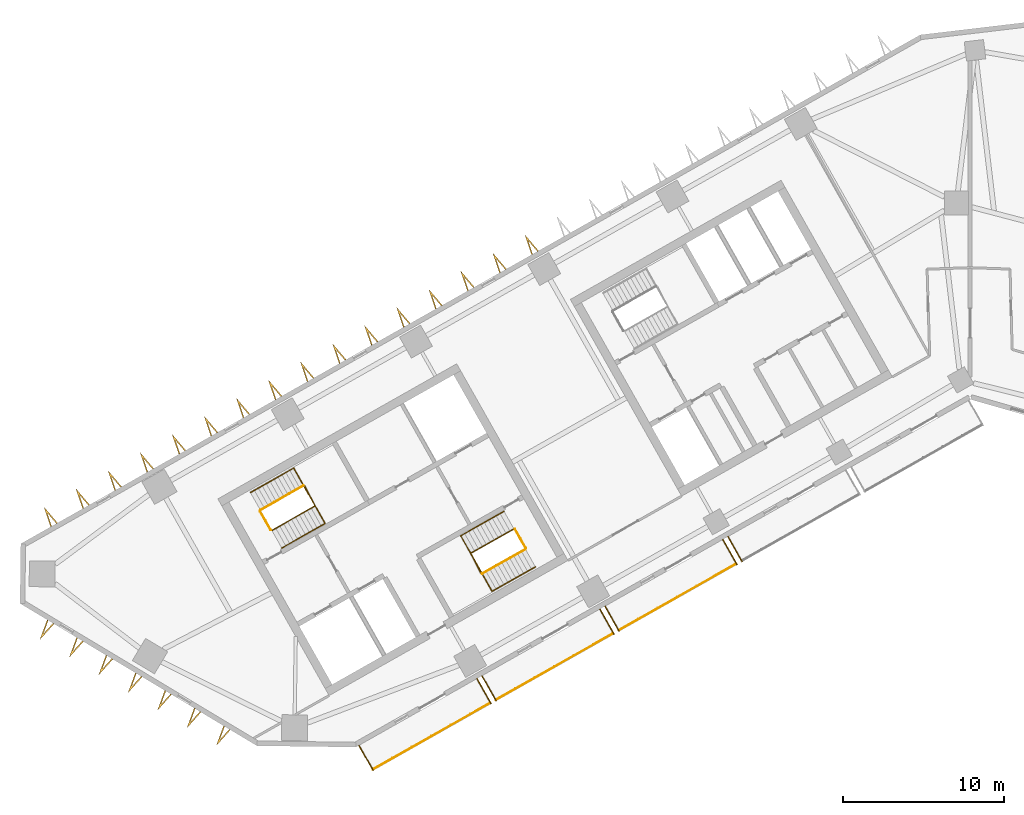
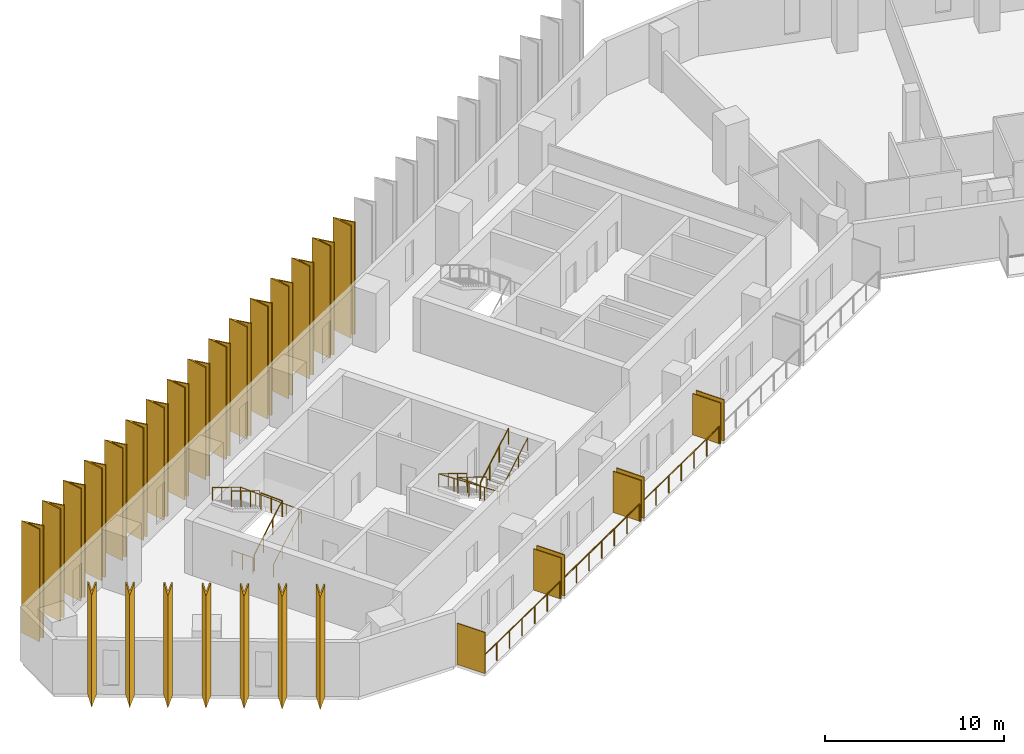
# One storey, part 8 of 10: 30 shading devices, 11 railings.
"""IFC4 building model written with IfcOpenShell, lengths in metres."""

from ifc_helpers import new_model, si_unit, direction, frame, origin, origin_2d, place, context, subcontext, project, spatial, polyline, rectangle, circle, outline, extrude, material, layer, layer_set, type_object, element, save


model = new_model("IFC4")

# Units and contexts
model_context = context("Model", 3, precision=1e-05, world=origin(), true_north=direction((0.0, 1.0)))
body_context = subcontext(model_context, "Body", "Model", "MODEL_VIEW")
ifc_project = project(units=[si_unit("LENGTHUNIT", "METRE"), si_unit("AREAUNIT", "SQUARE_METRE"), si_unit("VOLUMEUNIT", "CUBIC_METRE"), si_unit("PLANEANGLEUNIT", "RADIAN"), si_unit("MASSUNIT", "GRAM", prefix="KILO")], contexts=[model_context])

# Site, building, storey
site_placement = place(None, origin())
site = spatial("IfcSite", under=ifc_project, at=site_placement, CompositionType="ELEMENT")
building_placement = place(site_placement, origin())
building = spatial("IfcBuilding", under=site, at=building_placement, Name="Binnacle Exchange Tower", CompositionType="ELEMENT")
storey_placement = place(building_placement, frame((0.0, 0.0, 194.89990234375)))
storey = spatial("IfcBuildingStorey", under=building, at=storey_placement, Name="L42", CompositionType="ELEMENT", Elevation=194.89990234375)

# Railings
ifc_material_1 = material(Name="Bronze anodised aluminium frame", Category="aluminium")
railing_type_1 = type_object("IfcRailingType", Name="GUARD 1200", PredefinedType="GUARDRAIL", material=ifc_material_1)
railing_1_placement = place(storey_placement, frame((-36.994140625, 24.921142578125, 0.0)))
element("IfcRailing", 1, at=railing_1_placement, inside=storey, type_object=railing_type_1, Name="Balcony guard G01-B00 L42", PredefinedType="GUARDRAIL", context=body_context, shape_type="SweptSolid", body=[
    extrude(circle(Radius=0.02392578125, at=origin_2d()), frame((0.0, 0.0, 1.17578125), z_axis=(0.8703461643, 0.49244040684, 0.0), x_axis=(-0.49244040684, 0.8703461643, 0.0)), (0.0, 0.0, 1.0), 8.33447265625),
    extrude(circle(Radius=0.02099609375, at=origin_2d()), origin(), (0.0, 0.0, 1.0), 1.15185546875),
    extrude(circle(Radius=0.02099609375, at=origin_2d()), frame((1.208984375, 0.68408203125, 0.0)), (0.0, 0.0, 1.0), 1.15185546875),
    extrude(circle(Radius=0.02099609375, at=origin_2d()), frame((2.41796875, 1.3681640625, 0.0)), (0.0, 0.0, 1.0), 1.15185546875),
    extrude(circle(Radius=0.02099609375, at=origin_2d()), frame((3.626953125, 2.05224609375, 0.0)), (0.0, 0.0, 1.0), 1.15185546875),
    extrude(circle(Radius=0.02099609375, at=origin_2d()), frame((4.8359375, 2.736083984375, 0.0)), (0.0, 0.0, 1.0), 1.15185546875),
    extrude(circle(Radius=0.02099609375, at=origin_2d()), frame((6.044921875, 3.420166015625, 0.0)), (0.0, 0.0, 1.0), 1.15185546875),
    extrude(circle(Radius=0.02099609375, at=origin_2d()), frame((7.25390625, 4.104248046875, 0.0)), (0.0, 0.0, 1.0), 1.15185546875),
])
railing_2_placement = place(storey_placement, frame((-29.374755859375, 29.232177734375, 0.0)))
element("IfcRailing", 2, at=railing_2_placement, inside=storey, type_object=railing_type_1, Name="Balcony guard G01-B01 L42", PredefinedType="GUARDRAIL", context=body_context, shape_type="SweptSolid", body=[
    extrude(circle(Radius=0.02392578125, at=origin_2d()), frame((0.0, 0.0, 1.17578125), z_axis=(0.870365821494, 0.492405662818, 0.0), x_axis=(-0.492405662818, 0.870365821494, 0.0)), (0.0, 0.0, 1.0), 8.334716796875),
    extrude(circle(Radius=0.02099609375, at=origin_2d()), origin(), (0.0, 0.0, 1.0), 1.15185546875),
    extrude(circle(Radius=0.02099609375, at=origin_2d()), frame((1.208984375, 0.68408203125, 0.0)), (0.0, 0.0, 1.0), 1.15185546875),
    extrude(circle(Radius=0.02099609375, at=origin_2d()), frame((2.41796875, 1.367919921875, 0.0)), (0.0, 0.0, 1.0), 1.15185546875),
    extrude(circle(Radius=0.02099609375, at=origin_2d()), frame((3.626953125, 2.052001953125, 0.0)), (0.0, 0.0, 1.0), 1.15185546875),
    extrude(circle(Radius=0.02099609375, at=origin_2d()), frame((4.836181640625, 2.736083984375, 0.0)), (0.0, 0.0, 1.0), 1.15185546875),
    extrude(circle(Radius=0.02099609375, at=origin_2d()), frame((6.045166015625, 3.419921875, 0.0)), (0.0, 0.0, 1.0), 1.15185546875),
    extrude(circle(Radius=0.02099609375, at=origin_2d()), frame((7.254150390625, 4.10400390625, 0.0)), (0.0, 0.0, 1.0), 1.15185546875),
])
railing_3_placement = place(storey_placement, frame((-21.7548828125, 33.54296875, 0.0)))
element("IfcRailing", 3, at=railing_3_placement, inside=storey, type_object=railing_type_1, Name="Balcony guard G01-B02 L42", PredefinedType="GUARDRAIL", context=body_context, shape_type="SweptSolid", body=[
    extrude(circle(Radius=0.02392578125, at=origin_2d()), frame((0.0, 0.0, 1.17578125), z_axis=(0.870339060608, 0.492452961795, 0.0), x_axis=(-0.492452961795, 0.870339060608, 0.0)), (0.0, 0.0, 1.0), 8.334228515625),
    extrude(circle(Radius=0.02099609375, at=origin_2d()), origin(), (0.0, 0.0, 1.0), 1.15185546875),
    extrude(circle(Radius=0.02099609375, at=origin_2d()), frame((1.208984375, 0.68408203125, 0.0)), (0.0, 0.0, 1.0), 1.15185546875),
    extrude(circle(Radius=0.02099609375, at=origin_2d()), frame((2.41796875, 1.3681640625, 0.0)), (0.0, 0.0, 1.0), 1.15185546875),
    extrude(circle(Radius=0.02099609375, at=origin_2d()), frame((3.626953125, 2.05224609375, 0.0)), (0.0, 0.0, 1.0), 1.15185546875),
    extrude(circle(Radius=0.02099609375, at=origin_2d()), frame((4.835693359375, 2.736083984375, 0.0)), (0.0, 0.0, 1.0), 1.15185546875),
    extrude(circle(Radius=0.02099609375, at=origin_2d()), frame((6.044677734375, 3.420166015625, 0.0)), (0.0, 0.0, 1.0), 1.15185546875),
    extrude(circle(Radius=0.02099609375, at=origin_2d()), frame((7.253662109375, 4.104248046875, 0.0)), (0.0, 0.0, 1.0), 1.15185546875),
])

# Shading devices
ifc_material_2 = material(Name="Bronze aluminium louvre", Category="aluminium")
ifc_layer = layer(ifc_material_2, 0.06005859375)
ifc_layer_set = layer_set([ifc_layer], Name="PLANTED SCREEN 60x2800")
shading_device_type_1 = type_object("IfcShadingDeviceType", Name="PLANTED SCREEN 60x2800", PredefinedType="USERDEFINED", material=ifc_layer_set)
for number, where, z_axis, x_axis, name in (
    (4, (-37.424072265625, 25.6201171875, 0.0), (0.0, 0.0, 1.0), (0.87035569594, 0.492423560103, 0.0), "Planted screen G01-B00a L42"),
    (5, (-30.117919921875, 29.753662109375, 0.0), (0.0, 0.0, 1.0), (0.87035569594, 0.492423560103, 0.0), "Planted screen G01-B00b L42"),
    (6, (-29.8046875, 29.930908203125, 0.0), (0.0, 0.0, 1.0), (0.87035569594, 0.492423560103, 0.0), "Planted screen G01-B01a L42"),
    (7, (-22.498291015625, 34.064697265625, 0.0), (0.0, 0.0, 1.0), (0.87035569594, 0.492423560103, 0.0), "Planted screen G01-B01b L42"),
    (8, (-22.184814453125, 34.241943359375, 0.0), (0.0, 0.0, 1.0), (0.87035569594, 0.492423560103, 0.0), "Planted screen G01-B02a L42"),
    (9, (-14.878662109375, 38.37548828125, 0.0), (0.0, 0.0, 1.0), (0.87035569594, 0.492423560103, 0.0), "Planted screen G01-B02b L42"),
    (10, (-14.5654296875, 38.552978515625, 0.0), (0.0, 0.0, 1.0), (0.87035569594, 0.492423560103, 0.0), "Planted screen G01-B03a L42"),
):
    element("IfcShadingDevice", number, at=place(storey_placement, frame(where, z_axis=z_axis, x_axis=x_axis)), inside=storey, type_object=shading_device_type_1, Name=name, ObjectType="SCREEN", PredefinedType="USERDEFINED", context=body_context, shape_type="SweptSolid", body=[
        extrude(rectangle(XDim=0.06005859375, YDim=1.800048828125, at=origin_2d()), origin(), (0.0, 0.0, 1.0), 2.800048828125),
    ])

# Railings
ifc_material_3 = material(Name="Steel guard rail", Category="steel")
railing_type_2 = type_object("IfcRailingType", Name="STAIR GUARD 1100", PredefinedType="GUARDRAIL", material=ifc_material_3)
railing_4_placement = place(storey_placement, frame((-43.26171875, 39.71728515625, 0.166748046875)))
element("IfcRailing", 11, at=railing_4_placement, inside=storey, type_object=railing_type_2, Name="L42 STA1 stair guard 1", PredefinedType="GUARDRAIL", context=body_context, shape_type="SweptSolid", body=[
    extrude(circle(Radius=0.02392578125, at=origin_2d()), frame((0.0, 0.0, 1.076171875), z_axis=(0.747900833971, 0.423129324283, 0.511474258861), x_axis=(-0.492412445098, 0.870361984414, 0.0)), (0.0, 0.0, 1.0), 3.584228515625),
    extrude(circle(Radius=0.02392578125, at=origin_2d()), frame((2.6806640625, 1.5166015625, 2.9091796875), z_axis=(-0.461100321709, 0.887348011391, 0.0), x_axis=(-0.887348011391, -0.461100321709, 0.0)), (0.0, 0.0, 1.0), 1.40087890625),
    extrude(circle(Radius=0.02099609375, at=origin_2d()), origin(), (0.0, 0.0, 1.0), 1.052001953125),
    extrude(circle(Radius=0.02099609375, at=origin_2d()), frame((0.8935546875, 0.505615234375, 0.611083984375)), (0.0, 0.0, 1.0), 1.052001953125),
    extrude(circle(Radius=0.02099609375, at=origin_2d()), frame((1.787109375, 1.010986328125, 1.22216796875)), (0.0, 0.0, 1.0), 1.052001953125),
    extrude(circle(Radius=0.02099609375, at=origin_2d()), frame((2.6806640625, 1.5166015625, 1.833251953125)), (0.0, 0.0, 1.0), 1.052001953125),
    extrude(circle(Radius=0.02099609375, at=origin_2d()), frame((2.357666015625, 2.13818359375, 1.833251953125)), (0.0, 0.0, 1.0), 1.052001953125),
    extrude(circle(Radius=0.02099609375, at=origin_2d()), frame((2.03466796875, 2.759765625, 1.833251953125)), (0.0, 0.0, 1.0), 1.052001953125),
])
railing_5_placement = place(storey_placement, frame((-41.295166015625, 42.49609375, 2.166748046875)))
element("IfcRailing", 12, at=railing_5_placement, inside=storey, type_object=railing_type_2, Name="L42 STA1 stair guard 2", PredefinedType="GUARDRAIL", context=body_context, shape_type="SweptSolid", body=[
    extrude(circle(Radius=0.02392578125, at=origin_2d()), frame((0.0, 0.0, 1.076171875), z_axis=(-0.747879277632, -0.423185241524, 0.511459516916), x_axis=(0.492472489424, -0.870328011247, 0.0)), (0.0, 0.0, 1.0), 3.58447265625),
    extrude(circle(Radius=0.02099609375, at=origin_2d()), origin(), (0.0, 0.0, 1.0), 1.052001953125),
    extrude(circle(Radius=0.02099609375, at=origin_2d()), frame((-0.8935546875, -0.505615234375, 0.611083984375)), (0.0, 0.0, 1.0), 1.052001953125),
    extrude(circle(Radius=0.02099609375, at=origin_2d()), frame((-1.787109375, -1.01123046875, 1.22216796875)), (0.0, 0.0, 1.0), 1.052001953125),
    extrude(circle(Radius=0.02099609375, at=origin_2d()), frame((-2.6806640625, -1.516845703125, 1.833251953125)), (0.0, 0.0, 1.0), 1.052001953125),
])
railing_6_placement = place(storey_placement, frame((-43.329833984375, 39.736328125, 0.0)))
element("IfcRailing", 13, at=railing_6_placement, inside=storey, type_object=railing_type_2, Name="L42 STA1 stair guard 3", PredefinedType="GUARDRAIL", context=body_context, shape_type="SweptSolid", body=[
    extrude(circle(Radius=0.02392578125, at=origin_2d()), frame((0.0, 0.0, 1.076171875), z_axis=(-0.4924922531, 0.870316827734, 0.0), x_axis=(-0.870316827734, -0.4924922531, 0.0)), (0.0, 0.0, 1.0), 1.349853515625),
    extrude(circle(Radius=0.02099609375, at=origin_2d()), origin(), (0.0, 0.0, 1.0), 1.052001953125),
    extrude(circle(Radius=0.02099609375, at=origin_2d()), frame((-0.33251953125, 0.58740234375, 0.0)), (0.0, 0.0, 1.0), 1.052001953125),
    extrude(circle(Radius=0.02099609375, at=origin_2d()), frame((-0.664794921875, 1.1748046875, 0.0)), (0.0, 0.0, 1.0), 1.052001953125),
])
railing_7_placement = place(storey_placement, frame((-28.265380859375, 39.814453125, 0.166748046875)))
element("IfcRailing", 14, at=railing_7_placement, inside=storey, type_object=railing_type_2, Name="L42 STA2 stair guard 1", PredefinedType="GUARDRAIL", context=body_context, shape_type="SweptSolid", body=[
    extrude(circle(Radius=0.02392578125, at=origin_2d()), frame((0.0, 0.0, 1.076171875), z_axis=(-0.747900833971, -0.423129324283, 0.511474258861), x_axis=(0.492412445098, -0.870361984414, 0.0)), (0.0, 0.0, 1.0), 3.584228515625),
    extrude(circle(Radius=0.02392578125, at=origin_2d()), frame((-2.6806640625, -1.5166015625, 2.9091796875), z_axis=(0.460963092712, -0.887419307406, 0.0), x_axis=(0.887419307406, 0.460963092712, 0.0)), (0.0, 0.0, 1.0), 1.40087890625),
    extrude(circle(Radius=0.02099609375, at=origin_2d()), origin(), (0.0, 0.0, 1.0), 1.052001953125),
    extrude(circle(Radius=0.02099609375, at=origin_2d()), frame((-0.8935546875, -0.505615234375, 0.611083984375)), (0.0, 0.0, 1.0), 1.052001953125),
    extrude(circle(Radius=0.02099609375, at=origin_2d()), frame((-1.787109375, -1.010986328125, 1.22216796875)), (0.0, 0.0, 1.0), 1.052001953125),
    extrude(circle(Radius=0.02099609375, at=origin_2d()), frame((-2.6806640625, -1.5166015625, 1.833251953125)), (0.0, 0.0, 1.0), 1.052001953125),
    extrude(circle(Radius=0.02099609375, at=origin_2d()), frame((-2.35791015625, -2.13818359375, 1.833251953125)), (0.0, 0.0, 1.0), 1.052001953125),
    extrude(circle(Radius=0.02099609375, at=origin_2d()), frame((-2.034912109375, -2.759765625, 1.833251953125)), (0.0, 0.0, 1.0), 1.052001953125),
])
railing_8_placement = place(storey_placement, frame((-30.232177734375, 37.035888671875, 2.166748046875)))
element("IfcRailing", 15, at=railing_8_placement, inside=storey, type_object=railing_type_2, Name="L42 STA2 stair guard 2", PredefinedType="GUARDRAIL", context=body_context, shape_type="SweptSolid", body=[
    extrude(circle(Radius=0.02392578125, at=origin_2d()), frame((0.0, 0.0, 1.076171875), z_axis=(0.747900833971, 0.423129324283, 0.511474258861), x_axis=(-0.492412445098, 0.870361984414, 0.0)), (0.0, 0.0, 1.0), 3.584228515625),
    extrude(circle(Radius=0.02099609375, at=origin_2d()), origin(), (0.0, 0.0, 1.0), 1.052001953125),
    extrude(circle(Radius=0.02099609375, at=origin_2d()), frame((0.8935546875, 0.505615234375, 0.611083984375)), (0.0, 0.0, 1.0), 1.052001953125),
    extrude(circle(Radius=0.02099609375, at=origin_2d()), frame((1.787109375, 1.010986328125, 1.22216796875)), (0.0, 0.0, 1.0), 1.052001953125),
    extrude(circle(Radius=0.02099609375, at=origin_2d()), frame((2.6806640625, 1.5166015625, 1.833251953125)), (0.0, 0.0, 1.0), 1.052001953125),
])
railing_9_placement = place(storey_placement, frame((-28.197265625, 39.795654296875, 0.0)))
element("IfcRailing", 16, at=railing_9_placement, inside=storey, type_object=railing_type_2, Name="L42 STA2 stair guard 3", PredefinedType="GUARDRAIL", context=body_context, shape_type="SweptSolid", body=[
    extrude(circle(Radius=0.02392578125, at=origin_2d()), frame((0.0, 0.0, 1.076171875), z_axis=(0.49241474071, -0.870360685654, 0.0), x_axis=(0.870360685654, 0.49241474071, 0.0)), (0.0, 0.0, 1.0), 1.35009765625),
    extrude(circle(Radius=0.02099609375, at=origin_2d()), origin(), (0.0, 0.0, 1.0), 1.052001953125),
    extrude(circle(Radius=0.02099609375, at=origin_2d()), frame((0.33251953125, -0.58740234375, 0.0)), (0.0, 0.0, 1.0), 1.052001953125),
    extrude(circle(Radius=0.02099609375, at=origin_2d()), frame((0.664794921875, -1.175048828125, 0.0)), (0.0, 0.0, 1.0), 1.052001953125),
])
ifc_material_4 = material(Name="Steel handrail", Category="steel")
railing_type_3 = type_object("IfcRailingType", Name="STAIR HANDRAIL 900", PredefinedType="HANDRAIL", material=ifc_material_4)
railing_10_placement = place(storey_placement, frame((-42.646240234375, 38.62939453125, 0.166748046875)))
element("IfcRailing", 17, at=railing_10_placement, inside=storey, type_object=railing_type_3, Name="L42 STA1 stair handrail 1", PredefinedType="HANDRAIL", context=body_context, shape_type="SweptSolid", body=[
    extrude(circle(Radius=0.02392578125, at=origin_2d()), frame((0.0, 0.0, 0.8759765625), z_axis=(0.747900833971, 0.423129324283, 0.511474258861), x_axis=(-0.492412445098, 0.870361984414, 0.0)), (0.0, 0.0, 1.0), 3.584228515625),
    extrude(circle(Radius=0.02392578125, at=origin_2d()), frame((2.6806640625, 1.5166015625, 2.708984375), z_axis=(-0.491975462752, 0.869586854082, 0.042176382711), x_axis=(-0.870361318571, -0.492413622004, 0.0)), (0.0, 0.0, 1.0), 3.95361328125),
    extrude(circle(Radius=0.02392578125, at=origin_2d()), frame((0.735595703125, 4.95458984375, 2.8759765625), z_axis=(-0.747900833971, -0.423129324283, 0.511474258861), x_axis=(0.492412445098, -0.870361984414, 0.0)), (0.0, 0.0, 1.0), 3.584228515625),
    extrude(circle(Radius=0.02099609375, at=origin_2d()), origin(), (0.0, 0.0, 1.0), 0.851806640625),
    extrude(circle(Radius=0.02099609375, at=origin_2d()), frame((0.8935546875, 0.505615234375, 0.611083984375)), (0.0, 0.0, 1.0), 0.851806640625),
    extrude(circle(Radius=0.02099609375, at=origin_2d()), frame((1.787109375, 1.010986328125, 1.22216796875)), (0.0, 0.0, 1.0), 0.851806640625),
    extrude(circle(Radius=0.02099609375, at=origin_2d()), frame((2.6806640625, 1.5166015625, 1.833251953125)), (0.0, 0.0, 1.0), 0.851806640625),
    extrude(circle(Radius=0.02099609375, at=origin_2d()), frame((2.1943359375, 2.3759765625, 1.875)), (0.0, 0.0, 1.0), 0.851806640625),
    extrude(circle(Radius=0.02099609375, at=origin_2d()), frame((1.7080078125, 3.235595703125, 1.91650390625)), (0.0, 0.0, 1.0), 0.851806640625),
    extrude(circle(Radius=0.02099609375, at=origin_2d()), frame((1.221923828125, 4.09521484375, 1.958251953125)), (0.0, 0.0, 1.0), 0.851806640625),
    extrude(circle(Radius=0.02099609375, at=origin_2d()), frame((0.735595703125, 4.95458984375, 2.0)), (0.0, 0.0, 1.0), 0.851806640625),
    extrude(circle(Radius=0.02099609375, at=origin_2d()), frame((-0.157958984375, 4.448974609375, 2.611083984375)), (0.0, 0.0, 1.0), 0.851806640625),
    extrude(circle(Radius=0.02099609375, at=origin_2d()), frame((-1.051513671875, 3.943603515625, 3.22216796875)), (0.0, 0.0, 1.0), 0.851806640625),
    extrude(circle(Radius=0.02099609375, at=origin_2d()), frame((-1.945068359375, 3.43798828125, 3.833251953125)), (0.0, 0.0, 1.0), 0.851806640625),
])
railing_11_placement = place(storey_placement, frame((-28.880859375, 40.90234375, 0.166748046875)))
element("IfcRailing", 18, at=railing_11_placement, inside=storey, type_object=railing_type_3, Name="L42 STA2 stair handrail 1", PredefinedType="HANDRAIL", context=body_context, shape_type="SweptSolid", body=[
    extrude(circle(Radius=0.02392578125, at=origin_2d()), frame((0.0, 0.0, 0.8759765625), z_axis=(-0.747930846092, -0.423107769413, 0.511448203561), x_axis=(0.492378474645, -0.870381202524, 0.0)), (0.0, 0.0, 1.0), 3.58447265625),
    extrude(circle(Radius=0.02392578125, at=origin_2d()), frame((-2.680908203125, -1.5166015625, 2.708984375), z_axis=(0.491975462752, -0.869586854082, 0.042176382711), x_axis=(0.870361318571, 0.492413622004, 0.0)), (0.0, 0.0, 1.0), 3.95361328125),
    extrude(circle(Radius=0.02392578125, at=origin_2d()), frame((-0.73583984375, -4.95458984375, 2.8759765625), z_axis=(0.747909291085, 0.423163685048, 0.51143346387), x_axis=(-0.49243851748, 0.870347233294, 0.0)), (0.0, 0.0, 1.0), 3.58447265625),
    extrude(circle(Radius=0.02099609375, at=origin_2d()), origin(), (0.0, 0.0, 1.0), 0.851806640625),
    extrude(circle(Radius=0.02099609375, at=origin_2d()), frame((-0.8935546875, -0.505615234375, 0.611083984375)), (0.0, 0.0, 1.0), 0.851806640625),
    extrude(circle(Radius=0.02099609375, at=origin_2d()), frame((-1.787353515625, -1.010986328125, 1.22216796875)), (0.0, 0.0, 1.0), 0.851806640625),
    extrude(circle(Radius=0.02099609375, at=origin_2d()), frame((-2.680908203125, -1.5166015625, 1.833251953125)), (0.0, 0.0, 1.0), 0.851806640625),
    extrude(circle(Radius=0.02099609375, at=origin_2d()), frame((-2.194580078125, -2.3759765625, 1.875)), (0.0, 0.0, 1.0), 0.851806640625),
    extrude(circle(Radius=0.02099609375, at=origin_2d()), frame((-1.70849609375, -3.235595703125, 1.91650390625)), (0.0, 0.0, 1.0), 0.851806640625),
    extrude(circle(Radius=0.02099609375, at=origin_2d()), frame((-1.22216796875, -4.09521484375, 1.958251953125)), (0.0, 0.0, 1.0), 0.851806640625),
    extrude(circle(Radius=0.02099609375, at=origin_2d()), frame((-0.73583984375, -4.95458984375, 2.0)), (0.0, 0.0, 1.0), 0.851806640625),
    extrude(circle(Radius=0.02099609375, at=origin_2d()), frame((0.15771484375, -4.448974609375, 2.611083984375)), (0.0, 0.0, 1.0), 0.851806640625),
    extrude(circle(Radius=0.02099609375, at=origin_2d()), frame((1.051513671875, -3.943359375, 3.22216796875)), (0.0, 0.0, 1.0), 0.851806640625),
    extrude(circle(Radius=0.02099609375, at=origin_2d()), frame((1.945068359375, -3.437744140625, 3.833251953125)), (0.0, 0.0, 1.0), 0.851806640625),
])

# Shading devices
ifc_material_5 = material(Name="Bronze aluminium cladding", Category="aluminium")
shading_device_type_2 = type_object("IfcShadingDeviceType", Name="V FIN 1300 DEEP x 7650 HIGH", PredefinedType="USERDEFINED", material=ifc_material_5)
shading_device_1_placement = place(storey_placement, origin())
element("IfcShadingDevice", 19, at=shading_device_1_placement, inside=storey, type_object=shading_device_type_2, Name="V fin FN-G08-12 L42", ObjectType="FIN", PredefinedType="USERDEFINED", context=body_context, shape_type="SweptSolid", body=[
    extrude(outline(polyline([(-26.7412109375, 57.04296875), (-27.59912109375, 58.05126953125), (-27.176513671875, 56.796630859375), (-27.10546875, 56.8369140625), (-27.390380859375, 57.6826171875), (-26.81201171875, 57.002685546875), (-26.7412109375, 57.04296875)])), origin(), (0.0, 0.0, 1.0), 7.650146484375),
])
shading_device_2_placement = place(storey_placement, origin())
element("IfcShadingDevice", 20, at=shading_device_2_placement, inside=storey, type_object=shading_device_type_2, Name="V fin FN-G08-13 L42", ObjectType="FIN", PredefinedType="USERDEFINED", context=body_context, shape_type="SweptSolid", body=[
    extrude(outline(polyline([(-28.727783203125, 55.9189453125), (-29.58544921875, 56.92724609375), (-29.162841796875, 55.672607421875), (-29.092041015625, 55.712890625), (-29.376708984375, 56.55859375), (-28.798583984375, 55.87890625), (-28.727783203125, 55.9189453125)])), origin(), (0.0, 0.0, 1.0), 7.650146484375),
])
shading_device_3_placement = place(storey_placement, origin())
element("IfcShadingDevice", 21, at=shading_device_3_placement, inside=storey, type_object=shading_device_type_2, Name="V fin FN-G08-14 L42", ObjectType="FIN", PredefinedType="USERDEFINED", context=body_context, shape_type="SweptSolid", body=[
    extrude(outline(polyline([(-30.71435546875, 54.794921875), (-31.572021484375, 55.803466796875), (-31.1494140625, 54.548828125), (-31.07861328125, 54.5888671875), (-31.36328125, 55.434814453125), (-30.78515625, 54.7548828125), (-30.71435546875, 54.794921875)])), origin(), (0.0, 0.0, 1.0), 7.650146484375),
])
shading_device_4_placement = place(storey_placement, origin())
element("IfcShadingDevice", 22, at=shading_device_4_placement, inside=storey, type_object=shading_device_type_2, Name="V fin FN-G08-15 L42", ObjectType="FIN", PredefinedType="USERDEFINED", context=body_context, shape_type="SweptSolid", body=[
    extrude(outline(polyline([(-32.70068359375, 53.6708984375), (-33.55859375, 54.679443359375), (-33.135986328125, 53.4248046875), (-33.065185546875, 53.46484375), (-33.349853515625, 54.310791015625), (-32.771728515625, 53.630859375), (-32.70068359375, 53.6708984375)])), origin(), (0.0, 0.0, 1.0), 7.650146484375),
])
shading_device_5_placement = place(storey_placement, origin())
element("IfcShadingDevice", 23, at=shading_device_5_placement, inside=storey, type_object=shading_device_type_2, Name="V fin FN-G08-16 L42", ObjectType="FIN", PredefinedType="USERDEFINED", context=body_context, shape_type="SweptSolid", body=[
    extrude(outline(polyline([(-34.687255859375, 52.547119140625), (-35.545166015625, 53.555419921875), (-35.12255859375, 52.30078125), (-35.051513671875, 52.341064453125), (-35.33642578125, 53.186767578125), (-34.75830078125, 52.507080078125), (-34.687255859375, 52.547119140625)])), origin(), (0.0, 0.0, 1.0), 7.650146484375),
])
shading_device_6_placement = place(storey_placement, origin())
element("IfcShadingDevice", 24, at=shading_device_6_placement, inside=storey, type_object=shading_device_type_2, Name="V fin FN-G08-17 L42", ObjectType="FIN", PredefinedType="USERDEFINED", context=body_context, shape_type="SweptSolid", body=[
    extrude(outline(polyline([(-36.673828125, 51.423095703125), (-37.53173828125, 52.431640625), (-37.109130859375, 51.177001953125), (-37.0380859375, 51.217041015625), (-37.322998046875, 52.06298828125), (-36.744873046875, 51.383056640625), (-36.673828125, 51.423095703125)])), origin(), (0.0, 0.0, 1.0), 7.650146484375),
])
shading_device_7_placement = place(storey_placement, origin())
element("IfcShadingDevice", 25, at=shading_device_7_placement, inside=storey, type_object=shading_device_type_2, Name="V fin FN-G08-18 L42", ObjectType="FIN", PredefinedType="USERDEFINED", context=body_context, shape_type="SweptSolid", body=[
    extrude(outline(polyline([(-38.660400390625, 50.29931640625), (-39.518310546875, 51.3076171875), (-39.095703125, 50.052978515625), (-39.02490234375, 50.093017578125), (-39.3095703125, 50.93896484375), (-38.7314453125, 50.259033203125), (-38.660400390625, 50.29931640625)])), origin(), (0.0, 0.0, 1.0), 7.650146484375),
])
shading_device_8_placement = place(storey_placement, origin())
element("IfcShadingDevice", 26, at=shading_device_8_placement, inside=storey, type_object=shading_device_type_2, Name="V fin FN-G08-19 L42", ObjectType="FIN", PredefinedType="USERDEFINED", context=body_context, shape_type="SweptSolid", body=[
    extrude(outline(polyline([(-40.64697265625, 49.17529296875), (-41.5048828125, 50.18359375), (-41.082275390625, 48.92919921875), (-41.01123046875, 48.96923828125), (-41.296142578125, 49.81494140625), (-40.718017578125, 49.13525390625), (-40.64697265625, 49.17529296875)])), origin(), (0.0, 0.0, 1.0), 7.650146484375),
])
shading_device_9_placement = place(storey_placement, origin())
element("IfcShadingDevice", 27, at=shading_device_9_placement, inside=storey, type_object=shading_device_type_2, Name="V fin FN-G08-20 L42", ObjectType="FIN", PredefinedType="USERDEFINED", context=body_context, shape_type="SweptSolid", body=[
    extrude(outline(polyline([(-42.633544921875, 48.05126953125), (-43.491455078125, 49.059814453125), (-43.06884765625, 47.80517578125), (-42.997802734375, 47.84521484375), (-43.28271484375, 48.69091796875), (-42.70458984375, 48.01123046875), (-42.633544921875, 48.05126953125)])), origin(), (0.0, 0.0, 1.0), 7.650146484375),
])
shading_device_10_placement = place(storey_placement, origin())
element("IfcShadingDevice", 28, at=shading_device_10_placement, inside=storey, type_object=shading_device_type_2, Name="V fin FN-G08-21 L42", ObjectType="FIN", PredefinedType="USERDEFINED", context=body_context, shape_type="SweptSolid", body=[
    extrude(outline(polyline([(-44.6201171875, 46.927490234375), (-45.47802734375, 47.935791015625), (-45.055419921875, 46.68115234375), (-44.984619140625, 46.72119140625), (-45.269287109375, 47.567138671875), (-44.691162109375, 46.88720703125), (-44.6201171875, 46.927490234375)])), origin(), (0.0, 0.0, 1.0), 7.650146484375),
])
shading_device_11_placement = place(storey_placement, origin())
element("IfcShadingDevice", 29, at=shading_device_11_placement, inside=storey, type_object=shading_device_type_2, Name="V fin FN-G08-22 L42", ObjectType="FIN", PredefinedType="USERDEFINED", context=body_context, shape_type="SweptSolid", body=[
    extrude(outline(polyline([(-46.606689453125, 45.803466796875), (-47.464599609375, 46.81201171875), (-47.0419921875, 45.557373046875), (-46.970947265625, 45.597412109375), (-47.255859375, 46.443115234375), (-46.677490234375, 45.763427734375), (-46.606689453125, 45.803466796875)])), origin(), (0.0, 0.0, 1.0), 7.650146484375),
])
shading_device_12_placement = place(storey_placement, origin())
element("IfcShadingDevice", 30, at=shading_device_12_placement, inside=storey, type_object=shading_device_type_2, Name="V fin FN-G08-23 L42", ObjectType="FIN", PredefinedType="USERDEFINED", context=body_context, shape_type="SweptSolid", body=[
    extrude(outline(polyline([(-48.59326171875, 44.679443359375), (-49.451171875, 45.68798828125), (-49.028564453125, 44.433349609375), (-48.95751953125, 44.473388671875), (-49.242431640625, 45.319091796875), (-48.664306640625, 44.639404296875), (-48.59326171875, 44.679443359375)])), origin(), (0.0, 0.0, 1.0), 7.650146484375),
])
shading_device_13_placement = place(storey_placement, origin())
element("IfcShadingDevice", 31, at=shading_device_13_placement, inside=storey, type_object=shading_device_type_2, Name="V fin FN-G08-24 L42", ObjectType="FIN", PredefinedType="USERDEFINED", context=body_context, shape_type="SweptSolid", body=[
    extrude(outline(polyline([(-50.579833984375, 43.5556640625), (-51.4375, 44.56396484375), (-51.014892578125, 43.309326171875), (-50.944091796875, 43.349609375), (-51.22900390625, 44.1953125), (-50.650634765625, 43.515380859375), (-50.579833984375, 43.5556640625)])), origin(), (0.0, 0.0, 1.0), 7.650146484375),
])
shading_device_14_placement = place(storey_placement, origin())
element("IfcShadingDevice", 32, at=shading_device_14_placement, inside=storey, type_object=shading_device_type_2, Name="V fin FN-G08-25 L42", ObjectType="FIN", PredefinedType="USERDEFINED", context=body_context, shape_type="SweptSolid", body=[
    extrude(outline(polyline([(-52.56640625, 42.431640625), (-53.42431640625, 43.440185546875), (-53.001708984375, 42.185546875), (-52.9306640625, 42.2255859375), (-53.215576171875, 43.0712890625), (-52.63720703125, 42.3916015625), (-52.56640625, 42.431640625)])), origin(), (0.0, 0.0, 1.0), 7.650146484375),
])
shading_device_15_placement = place(storey_placement, origin())
element("IfcShadingDevice", 33, at=shading_device_15_placement, inside=storey, type_object=shading_device_type_2, Name="V fin FN-G08-26 L42", ObjectType="FIN", PredefinedType="USERDEFINED", context=body_context, shape_type="SweptSolid", body=[
    extrude(outline(polyline([(-54.552978515625, 41.3076171875), (-55.410888671875, 42.316162109375), (-54.98828125, 41.0615234375), (-54.917236328125, 41.1015625), (-55.2021484375, 41.947509765625), (-54.623779296875, 41.267578125), (-54.552978515625, 41.3076171875)])), origin(), (0.0, 0.0, 1.0), 7.650146484375),
])
shading_device_16_placement = place(storey_placement, origin())
element("IfcShadingDevice", 34, at=shading_device_16_placement, inside=storey, type_object=shading_device_type_2, Name="V fin FN-G08-27 L42", ObjectType="FIN", PredefinedType="USERDEFINED", context=body_context, shape_type="SweptSolid", body=[
    extrude(outline(polyline([(-56.53955078125, 40.183837890625), (-57.397216796875, 41.192138671875), (-56.974609375, 39.9375), (-56.90380859375, 39.977783203125), (-57.188720703125, 40.823486328125), (-56.6103515625, 40.143798828125), (-56.53955078125, 40.183837890625)])), origin(), (0.0, 0.0, 1.0), 7.650146484375),
])
shading_device_17_placement = place(storey_placement, origin())
element("IfcShadingDevice", 35, at=shading_device_17_placement, inside=storey, type_object=shading_device_type_2, Name="V fin FN-G10-01 L42", ObjectType="FIN", PredefinedType="USERDEFINED", context=body_context, shape_type="SweptSolid", body=[
    extrude(outline(polyline([(-57.18603515625, 34.185791015625), (-57.641357421875, 32.94287109375), (-56.757568359375, 33.92822265625), (-56.827392578125, 33.97021484375), (-57.423095703125, 33.305908203125), (-57.1162109375, 34.143798828125), (-57.18603515625, 34.185791015625)])), origin(), (0.0, 0.0, 1.0), 7.650146484375),
])
shading_device_18_placement = place(storey_placement, origin())
element("IfcShadingDevice", 36, at=shading_device_18_placement, inside=storey, type_object=shading_device_type_2, Name="V fin FN-G10-02 L42", ObjectType="FIN", PredefinedType="USERDEFINED", context=body_context, shape_type="SweptSolid", body=[
    extrude(outline(polyline([(-55.364501953125, 33.09130859375), (-55.81982421875, 31.848388671875), (-54.93603515625, 32.833740234375), (-55.005859375, 32.875732421875), (-55.601806640625, 32.21142578125), (-55.294921875, 33.04931640625), (-55.364501953125, 33.09130859375)])), origin(), (0.0, 0.0, 1.0), 7.650146484375),
])
shading_device_19_placement = place(storey_placement, origin())
element("IfcShadingDevice", 37, at=shading_device_19_placement, inside=storey, type_object=shading_device_type_2, Name="V fin FN-G10-03 L42", ObjectType="FIN", PredefinedType="USERDEFINED", context=body_context, shape_type="SweptSolid", body=[
    extrude(outline(polyline([(-53.543212890625, 31.9970703125), (-53.998291015625, 30.75390625), (-53.114501953125, 31.739501953125), (-53.184326171875, 31.781494140625), (-53.7802734375, 31.116943359375), (-53.473388671875, 31.955078125), (-53.543212890625, 31.9970703125)])), origin(), (0.0, 0.0, 1.0), 7.650146484375),
])
shading_device_20_placement = place(storey_placement, origin())
element("IfcShadingDevice", 38, at=shading_device_20_placement, inside=storey, type_object=shading_device_type_2, Name="V fin FN-G10-04 L42", ObjectType="FIN", PredefinedType="USERDEFINED", context=body_context, shape_type="SweptSolid", body=[
    extrude(outline(polyline([(-51.7216796875, 30.902587890625), (-52.1767578125, 29.659423828125), (-51.29296875, 30.64501953125), (-51.36279296875, 30.68701171875), (-51.958740234375, 30.0224609375), (-51.65185546875, 30.860595703125), (-51.7216796875, 30.902587890625)])), origin(), (0.0, 0.0, 1.0), 7.650146484375),
])
shading_device_21_placement = place(storey_placement, origin())
element("IfcShadingDevice", 39, at=shading_device_21_placement, inside=storey, type_object=shading_device_type_2, Name="V fin FN-G10-05 L42", ObjectType="FIN", PredefinedType="USERDEFINED", context=body_context, shape_type="SweptSolid", body=[
    extrude(outline(polyline([(-49.900146484375, 29.80810546875), (-50.35546875, 28.56494140625), (-49.4716796875, 29.55029296875), (-49.54150390625, 29.59228515625), (-50.13720703125, 28.927978515625), (-49.830322265625, 29.76611328125), (-49.900146484375, 29.80810546875)])), origin(), (0.0, 0.0, 1.0), 7.650146484375),
])
shading_device_22_placement = place(storey_placement, origin())
element("IfcShadingDevice", 40, at=shading_device_22_placement, inside=storey, type_object=shading_device_type_2, Name="V fin FN-G10-06 L42", ObjectType="FIN", PredefinedType="USERDEFINED", context=body_context, shape_type="SweptSolid", body=[
    extrude(outline(polyline([(-48.07861328125, 28.713623046875), (-48.533935546875, 27.470458984375), (-47.650146484375, 28.4560546875), (-47.719970703125, 28.498046875), (-48.31591796875, 27.83349609375), (-48.0087890625, 28.671630859375), (-48.07861328125, 28.713623046875)])), origin(), (0.0, 0.0, 1.0), 7.650146484375),
])
shading_device_23_placement = place(storey_placement, origin())
element("IfcShadingDevice", 41, at=shading_device_23_placement, inside=storey, type_object=shading_device_type_2, Name="V fin FN-G10-07 L42", ObjectType="FIN", PredefinedType="USERDEFINED", context=body_context, shape_type="SweptSolid", body=[
    extrude(outline(polyline([(-46.257080078125, 27.619140625), (-46.71240234375, 26.3759765625), (-45.82861328125, 27.361572265625), (-45.8984375, 27.403564453125), (-46.494384765625, 26.739013671875), (-46.1875, 27.5771484375), (-46.257080078125, 27.619140625)])), origin(), (0.0, 0.0, 1.0), 7.650146484375),
])

save(model, "model.ifc")
